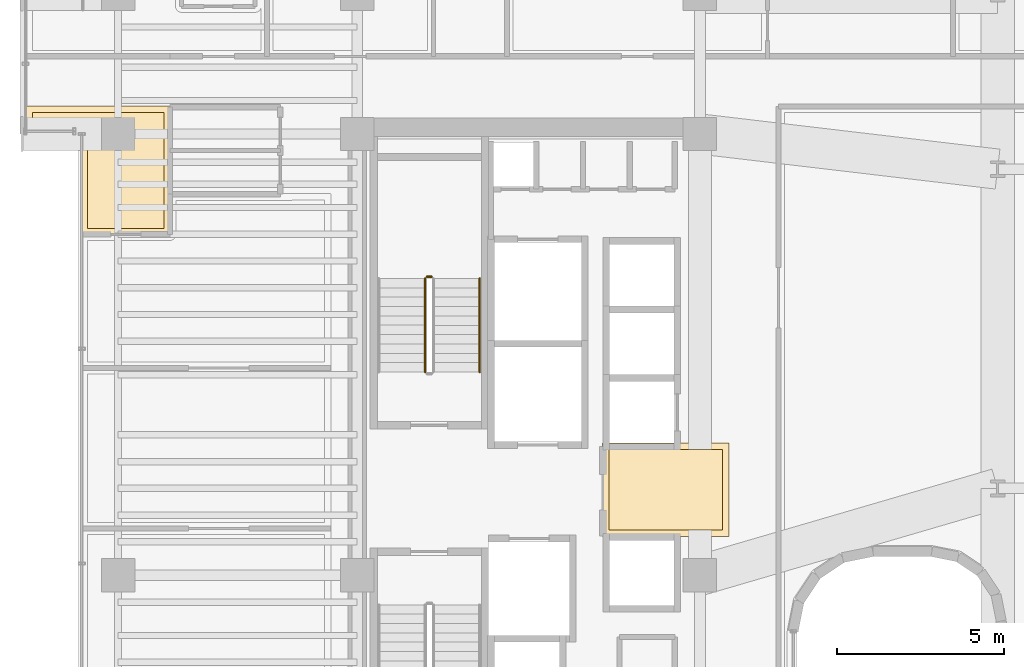
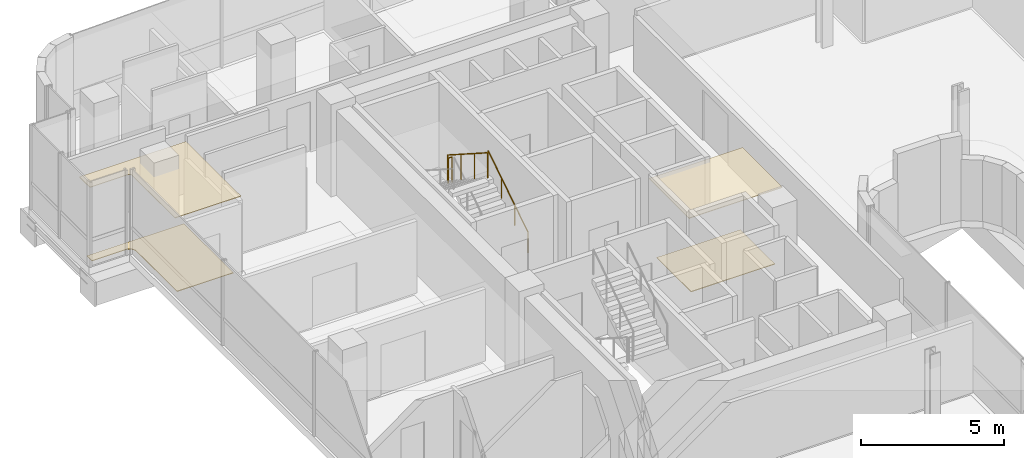
# One storey, part 34 of 39: 4 coverings, 3 railings.
"""IFC4 building model written with IfcOpenShell, lengths in metres."""

from ifc_helpers import new_model, si_unit, direction, frame, origin, origin_2d, place, context, subcontext, project, spatial, polyline, circle, outline, extrude, material, layer, layer_set, type_object, element, save


model = new_model("IFC4")

# Units and contexts
model_context = context("Model", 3, precision=1e-05, world=origin(), true_north=direction((0.0, 1.0)))
body_context = subcontext(model_context, "Body", "Model", "MODEL_VIEW")
ifc_project = project(units=[si_unit("LENGTHUNIT", "METRE"), si_unit("AREAUNIT", "SQUARE_METRE"), si_unit("VOLUMEUNIT", "CUBIC_METRE"), si_unit("PLANEANGLEUNIT", "RADIAN"), si_unit("MASSUNIT", "GRAM", prefix="KILO")], contexts=[model_context])

# Site, building, storey
site_placement = place(None, origin())
site = spatial("IfcSite", under=ifc_project, at=site_placement, CompositionType="ELEMENT")
building_placement = place(site_placement, origin())
building = spatial("IfcBuilding", under=site, at=building_placement, Name="Valdorenza Pilgrim Sanctuary Tower", CompositionType="ELEMENT")
storey_placement = place(building_placement, frame((0.0, 0.0, 184.449951171875)))
storey = spatial("IfcBuildingStorey", under=building, at=storey_placement, Name="L47", CompositionType="ELEMENT", Elevation=184.449951171875)

# Coverings
ifc_material_1 = material(Name="Micro-perforated acoustic mineral ceiling tile", Category="gypsum")
ifc_layer_1 = layer(ifc_material_1, 0.02490234375, Name="Micro-perforated acoustic mineral ceiling tile")
ifc_layer_set_1 = layer_set([ifc_layer_1], Name="Micro-perforated acoustic mineral ceiling tile")
covering_type_1 = type_object("IfcCoveringType", Name="COV-CLG-ACU", PredefinedType="CEILING", material=ifc_layer_set_1)
covering_1_placement = place(storey_placement, frame((0.0, 0.0, 3.330078125)))
element("IfcCovering", 1, at=covering_1_placement, inside=storey, type_object=covering_type_1, Name="L47 Core A Passenger Lift Lobby Acoustic Ceiling", PredefinedType="CEILING", context=body_context, shape_type="SweptSolid", body=[
    extrude(outline(polyline([(-15.31298828125, 1.244384765625), (-15.31298828125, 1.24462890625), (-15.313720703125, 1.24609375), (-15.314208984375, 1.24755859375), (-15.314697265625, 1.2490234375), (-15.31494140625, 1.25048828125), (-15.31494140625, 1.251953125), (-15.31494140625, 1.35009765625), (-15.31494140625, 1.3515625), (-15.314697265625, 1.352783203125), (-15.314453125, 1.3544921875), (-15.31396484375, 1.355712890625), (-15.313232421875, 1.357177734375), (-15.3125, 1.3583984375), (-15.3115234375, 1.359619140625), (-15.310546875, 1.360595703125), (-15.3095703125, 1.361572265625), (-15.308349609375, 1.362548828125), (-15.30712890625, 1.36328125), (-15.3056640625, 1.364013671875), (-15.304443359375, 1.364501953125), (-15.302978515625, 1.36474609375), (-15.301513671875, 1.364990234375), (-15.300048828125, 1.364990234375), (-15.10205078125, 1.364990234375), (-15.1005859375, 1.364990234375), (-15.09912109375, 1.36474609375), (-15.097412109375, 1.3642578125), (-15.09619140625, 1.36376953125), (-15.0947265625, 1.363037109375), (-15.094482421875, 1.363037109375), (-13.185546875, 1.363037109375), (-13.185302734375, 1.363037109375), (-13.183837890625, 1.36376953125), (-13.1826171875, 1.3642578125), (-13.180908203125, 1.36474609375), (-13.179443359375, 1.364990234375), (-13.177978515625, 1.364990234375), (-11.550048828125, 1.364990234375), (-11.548583984375, 1.364990234375), (-11.547119140625, 1.36474609375), (-11.545654296875, 1.364501953125), (-11.544189453125, 1.364013671875), (-11.54296875, 1.36328125), (-11.541748046875, 1.362548828125), (-11.54052734375, 1.361572265625), (-11.539306640625, 1.360595703125), (-11.538330078125, 1.359619140625), (-11.53759765625, 1.3583984375), (-11.536865234375, 1.357177734375), (-11.5361328125, 1.355712890625), (-11.53564453125, 1.3544921875), (-11.535400390625, 1.352783203125), (-11.53515625, 1.3515625), (-11.534912109375, 1.35009765625), (-11.534912109375, -1.419921875), (-11.53515625, -1.42138671875), (-11.535400390625, -1.4228515625), (-11.53564453125, -1.42431640625), (-11.5361328125, -1.42578125), (-11.536865234375, -1.427001953125), (-11.53759765625, -1.42822265625), (-11.538330078125, -1.429443359375), (-11.539306640625, -1.4306640625), (-11.54052734375, -1.431640625), (-11.541748046875, -1.4326171875), (-11.54296875, -1.43310546875), (-11.544189453125, -1.433837890625), (-11.545654296875, -1.434326171875), (-11.547119140625, -1.434814453125), (-11.548583984375, -1.434814453125), (-11.550048828125, -1.43505859375), (-15.298095703125, -1.43505859375), (-15.299560546875, -1.434814453125), (-15.30078125, -1.434814453125), (-15.302490234375, -1.434326171875), (-15.3037109375, -1.433837890625), (-15.30517578125, -1.43310546875), (-15.306396484375, -1.4326171875), (-15.3076171875, -1.431640625), (-15.30859375, -1.4306640625), (-15.3095703125, -1.429443359375), (-15.310546875, -1.42822265625), (-15.311279296875, -1.427001953125), (-15.31201171875, -1.42578125), (-15.3125, -1.42431640625), (-15.312744140625, -1.4228515625), (-15.31298828125, -1.42138671875), (-15.31298828125, -1.419921875), (-15.31298828125, 1.244384765625)])), origin(), (0.0, 0.0, 1.0), 0.02490234375),
])
covering_2_placement = place(storey_placement, frame((0.0, 0.0, 3.330078125)))
element("IfcCovering", 2, at=covering_2_placement, inside=storey, type_object=covering_type_1, Name="L47 Pilgrim Scholar Office L47-1 Acoustic Ceiling", PredefinedType="CEILING", context=body_context, shape_type="SweptSolid", body=[
    extrude(outline(polyline([(-28.237060546875, 8.805419921875), (-28.23681640625, 8.805419921875), (-28.236083984375, 8.803955078125), (-28.235595703125, 8.802490234375), (-28.2353515625, 8.801025390625), (-28.235107421875, 8.799560546875), (-28.235107421875, 8.798095703125), (-28.235107421875, 7.60009765625), (-28.235107421875, 7.598388671875), (-28.2353515625, 7.59716796875), (-28.235595703125, 7.595703125), (-28.236083984375, 7.59423828125), (-28.23681640625, 7.593017578125), (-28.237548828125, 7.591796875), (-28.23828125, 7.590576171875), (-28.239501953125, 7.58935546875), (-28.240478515625, 7.58837890625), (-28.24169921875, 7.58740234375), (-28.242919921875, 7.5869140625), (-28.244384765625, 7.586181640625), (-28.24560546875, 7.585693359375), (-28.2470703125, 7.585205078125), (-28.24853515625, 7.585205078125), (-28.25, 7.5849609375), (-30.889892578125, 7.5849609375), (-30.8916015625, 7.585205078125), (-30.892822265625, 7.585205078125), (-30.894287109375, 7.585693359375), (-30.895751953125, 7.586181640625), (-30.897216796875, 7.5869140625), (-30.898193359375, 7.58740234375), (-30.8994140625, 7.58837890625), (-30.900634765625, 7.58935546875), (-30.901611328125, 7.590576171875), (-30.902587890625, 7.591796875), (-30.9033203125, 7.593017578125), (-30.90380859375, 7.59423828125), (-30.904296875, 7.595703125), (-30.90478515625, 7.59716796875), (-30.90478515625, 7.598388671875), (-30.905029296875, 7.60009765625), (-30.905029296875, 10.599609375), (-30.905517578125, 10.609375), (-30.90673828125, 10.618408203125), (-30.9091796875, 10.627685546875), (-30.912109375, 10.63623046875), (-30.916259765625, 10.644775390625), (-30.9208984375, 10.65283203125), (-30.926513671875, 10.660400390625), (-30.932861328125, 10.667236328125), (-30.939697265625, 10.67333984375), (-30.947265625, 10.678955078125), (-30.955078125, 10.683837890625), (-30.963623046875, 10.687744140625), (-30.972412109375, 10.69091796875), (-30.9814453125, 10.693115234375), (-30.99072265625, 10.694580078125), (-31.00048828125, 10.695068359375), (-32.5400390625, 10.695068359375), (-32.54150390625, 10.695068359375), (-32.54296875, 10.6953125), (-32.54443359375, 10.695556640625), (-32.545654296875, 10.696044921875), (-32.547119140625, 10.69677734375), (-32.54833984375, 10.697509765625), (-32.549560546875, 10.698486328125), (-32.550537109375, 10.699462890625), (-32.551513671875, 10.700439453125), (-32.552490234375, 10.70166015625), (-32.55322265625, 10.702880859375), (-32.553955078125, 10.704345703125), (-32.554443359375, 10.70556640625), (-32.5546875, 10.70703125), (-32.554931640625, 10.70849609375), (-32.554931640625, 10.7099609375), (-32.554931640625, 11.419921875), (-32.554931640625, 11.42138671875), (-32.5546875, 11.4228515625), (-32.554443359375, 11.42431640625), (-32.553955078125, 11.42578125), (-32.55322265625, 11.427001953125), (-32.552490234375, 11.42822265625), (-32.551513671875, 11.429443359375), (-32.550537109375, 11.4306640625), (-32.549560546875, 11.431640625), (-32.54833984375, 11.4326171875), (-32.547119140625, 11.43310546875), (-32.545654296875, 11.433837890625), (-32.54443359375, 11.434326171875), (-32.54296875, 11.434814453125), (-32.54150390625, 11.434814453125), (-32.5400390625, 11.43505859375), (-28.25, 11.43505859375), (-28.24853515625, 11.434814453125), (-28.2470703125, 11.434814453125), (-28.24560546875, 11.434326171875), (-28.244384765625, 11.433837890625), (-28.242919921875, 11.43310546875), (-28.24169921875, 11.4326171875), (-28.240478515625, 11.431640625), (-28.239501953125, 11.4306640625), (-28.23828125, 11.429443359375), (-28.237548828125, 11.42822265625), (-28.23681640625, 11.427001953125), (-28.236083984375, 11.42578125), (-28.235595703125, 11.42431640625), (-28.2353515625, 11.4228515625), (-28.235107421875, 11.42138671875), (-28.235107421875, 11.419921875), (-28.235107421875, 11.402099609375), (-28.235107421875, 11.400390625), (-28.2353515625, 11.39892578125), (-28.235595703125, 11.3974609375), (-28.236083984375, 11.39599609375), (-28.23681640625, 11.394775390625), (-28.237060546875, 11.39453125), (-28.237060546875, 10.103759765625), (-28.23681640625, 10.10302734375), (-28.23681640625, 10.1015625), (-28.23681640625, 10.10009765625), (-28.23681640625, 10.098388671875), (-28.237060546875, 10.09814453125), (-28.237060546875, 8.805419921875)])), origin(), (0.0, 0.0, 1.0), 0.02490234375),
])
ifc_material_2 = material(Name="Honed travertine stone flooring", Category="masonry")
ifc_layer_2 = layer(ifc_material_2, 0.030029296875, Name="Honed travertine stone flooring")
ifc_layer_set_2 = layer_set([ifc_layer_2], Name="Honed travertine stone flooring")
covering_type_2 = type_object("IfcCoveringType", Name="COV-FLR-TRV", PredefinedType="FLOORING", material=ifc_layer_set_2)
covering_3_placement = place(storey_placement, origin())
element("IfcCovering", 3, at=covering_3_placement, inside=storey, type_object=covering_type_2, Name="L47 Core A Passenger Lift Lobby Flooring", PredefinedType="FLOORING", context=body_context, shape_type="SweptSolid", body=[
    extrude(outline(polyline([(-15.117919921875, 1.169189453125), (-15.10888671875, 1.168212890625), (-15.10888671875, 1.168212890625), (-15.10009765625, 1.16796875), (-13.179931640625, 1.16796875), (-13.1796875, 1.16796875), (-11.72998046875, 1.169921875), (-11.72998046875, -1.239990234375), (-15.117919921875, -1.239990234375), (-15.117919921875, 1.169189453125)])), origin(), (0.0, 0.0, 1.0), 0.025146484375),
])
covering_4_placement = place(storey_placement, origin())
element("IfcCovering", 4, at=covering_4_placement, inside=storey, type_object=covering_type_2, Name="L47 Pilgrim Scholar Office L47-1 Flooring", PredefinedType="FLOORING", context=body_context, shape_type="SweptSolid", body=[
    extrude(outline(polyline([(-28.431884765625, 11.239990234375), (-28.431884765625, 10.10205078125), (-28.431884765625, 10.10107421875), (-28.431884765625, 10.100341796875), (-28.431884765625, 10.10009765625), (-28.431884765625, 8.800048828125), (-28.431884765625, 8.7998046875), (-28.430419921875, 7.780029296875), (-30.7099609375, 7.780029296875), (-30.7099609375, 10.60009765625), (-30.710205078125, 10.60888671875), (-30.710693359375, 10.61962890625), (-30.71240234375, 10.63720703125), (-30.714111328125, 10.64794921875), (-30.717529296875, 10.665283203125), (-30.72021484375, 10.67578125), (-30.725341796875, 10.692626953125), (-30.72900390625, 10.70263671875), (-30.735595703125, 10.718994140625), (-30.740234375, 10.728759765625), (-30.74853515625, 10.744384765625), (-30.754150390625, 10.753662109375), (-30.763916015625, 10.768310546875), (-30.7705078125, 10.777099609375), (-30.781494140625, 10.790771484375), (-30.788818359375, 10.798583984375), (-30.80126953125, 10.811279296875), (-30.809326171875, 10.818359375), (-30.822998046875, 10.82958984375), (-30.831787109375, 10.8359375), (-30.84619140625, 10.845947265625), (-30.855712890625, 10.851318359375), (-30.87109375, 10.859619140625), (-30.880859375, 10.8642578125), (-30.897216796875, 10.87109375), (-30.907470703125, 10.874755859375), (-30.92431640625, 10.8798828125), (-30.934814453125, 10.882568359375), (-30.9521484375, 10.885986328125), (-30.962890625, 10.887451171875), (-30.98046875, 10.889404296875), (-30.9912109375, 10.889892578125), (-31.0, 10.889892578125), (-32.360107421875, 10.889892578125), (-32.360107421875, 11.239990234375), (-28.431884765625, 11.239990234375)])), origin(), (0.0, 0.0, 1.0), 0.025146484375),
])

# Railings
ifc_material_3 = material(Name="Stainless steel Grade 316", Category="steel")
railing_type_1 = type_object("IfcRailingType", Name="RLG-GRD-1120", PredefinedType="GUARDRAIL", material=ifc_material_3)
railing_1_placement = place(storey_placement, frame((-20.419921875, 6.330078125, 1.97509765625)))
element("IfcRailing", 5, at=railing_1_placement, inside=storey, type_object=railing_type_1, Name="L47 ST-A1 stair guard 2", PredefinedType="GUARDRAIL", context=body_context, shape_type="SweptSolid", body=[
    extrude(circle(Radius=0.02392578125, at=origin_2d()), frame((0.0, 0.0, 1.076171875), z_axis=(-1.0, 0.0, 0.0), x_axis=(0.0, -1.0, 0.0)), (0.0, 0.0, 1.0), 0.150146484375),
    extrude(circle(Radius=0.02099609375, at=origin_2d()), origin(), (0.0, 0.0, 1.0), 1.052001953125),
    extrude(circle(Radius=0.02099609375, at=origin_2d()), frame((-0.150146484375, 0.0, 0.0)), (0.0, 0.0, 1.0), 1.052001953125),
])
railing_2_placement = place(storey_placement, frame((-20.6201171875, 6.280029296875, 2.154541015625)))
element("IfcRailing", 6, at=railing_2_placement, inside=storey, type_object=railing_type_1, Name="L47 ST-A1 stair guard 3", PredefinedType="GUARDRAIL", context=body_context, shape_type="SweptSolid", body=[
    extrude(circle(Radius=0.02392578125, at=origin_2d()), frame((0.0, 0.0, 1.076171875), z_axis=(0.0, -0.841809871826, 0.539774156196), x_axis=(1.0, 0.0, 0.0)), (0.0, 0.0, 1.0), 3.326171875),
    extrude(circle(Radius=0.02099609375, at=origin_2d()), origin(), (0.0, 0.0, 1.0), 1.052001953125),
    extrude(circle(Radius=0.02099609375, at=origin_2d()), frame((0.0, -0.933349609375, 0.598388671875)), (0.0, 0.0, 1.0), 1.052001953125),
    extrude(circle(Radius=0.02099609375, at=origin_2d()), frame((0.0, -1.86669921875, 1.197021484375)), (0.0, 0.0, 1.0), 1.052001953125),
    extrude(circle(Radius=0.02099609375, at=origin_2d()), frame((0.0, -2.800048828125, 1.79541015625)), (0.0, 0.0, 1.0), 1.052001953125),
])
ifc_material_4 = material(Name="Brushed stainless steel Grade 316", Category="steel")
railing_type_2 = type_object("IfcRailingType", Name="RLG-HND-920", PredefinedType="HANDRAIL", material=ifc_material_4)
railing_3_placement = place(storey_placement, frame((-18.989990234375, 3.47998046875, 0.1796875)))
element("IfcRailing", 7, at=railing_3_placement, inside=storey, type_object=railing_type_2, Name="L47 ST-A1 stair handrail 1", PredefinedType="HANDRAIL", context=body_context, shape_type="SweptSolid", body=[
    extrude(circle(Radius=0.02392578125, at=origin_2d()), frame((0.0, 0.0, 0.8759765625), z_axis=(0.0, 0.841809871826, 0.539774156196), x_axis=(-1.0, 0.0, 0.0)), (0.0, 0.0, 1.0), 3.326171875),
    extrude(circle(Radius=0.02099609375, at=origin_2d()), origin(), (0.0, 0.0, 1.0), 0.851806640625),
    extrude(circle(Radius=0.02099609375, at=origin_2d()), frame((0.0, 0.933349609375, 0.598388671875)), (0.0, 0.0, 1.0), 0.851806640625),
    extrude(circle(Radius=0.02099609375, at=origin_2d()), frame((0.0, 1.86669921875, 1.197021484375)), (0.0, 0.0, 1.0), 0.851806640625),
    extrude(circle(Radius=0.02099609375, at=origin_2d()), frame((0.0, 2.800048828125, 1.79541015625)), (0.0, 0.0, 1.0), 0.851806640625),
])

save(model, "model.ifc")
